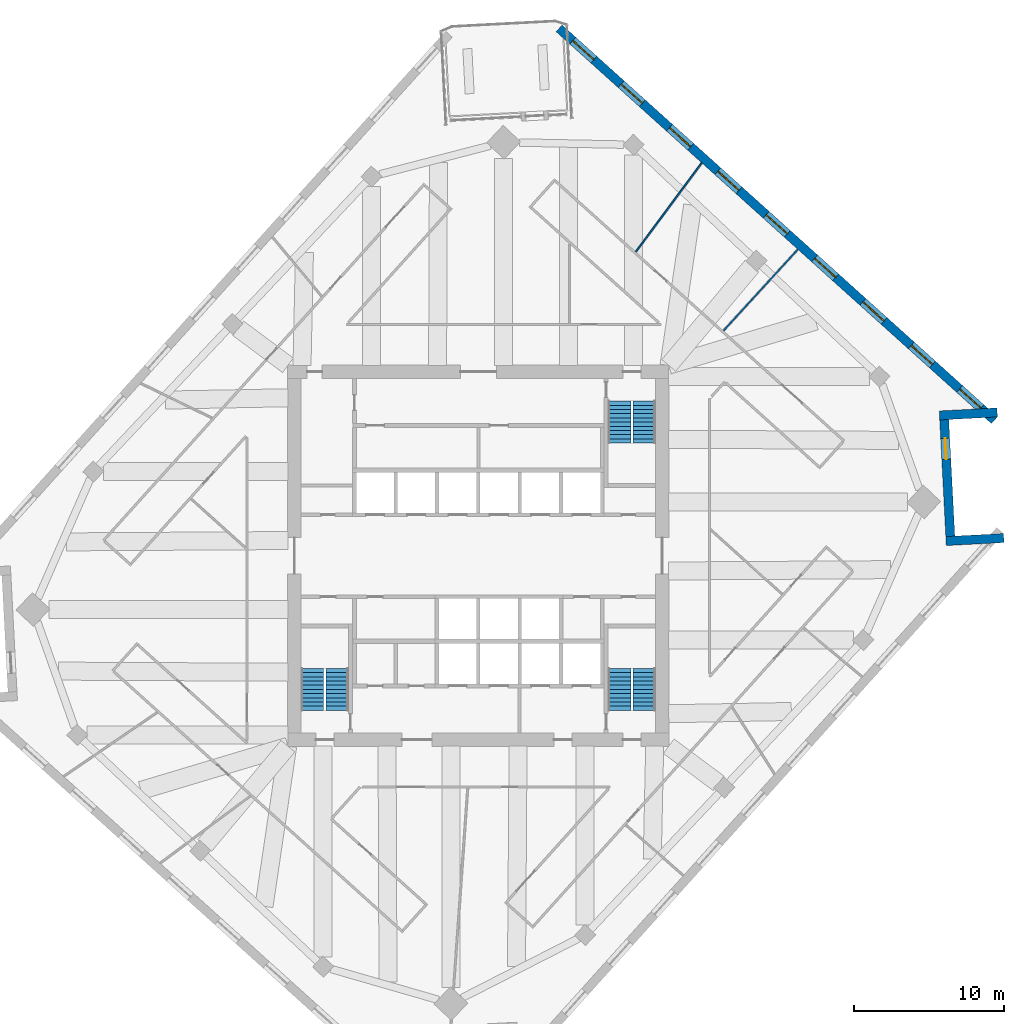
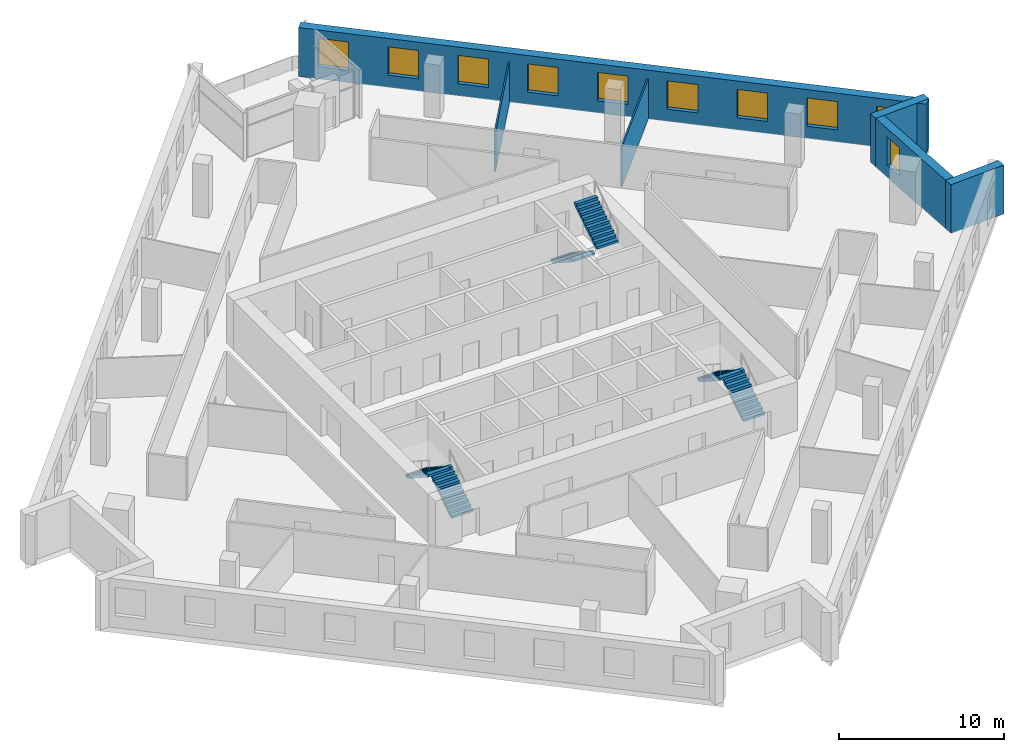
# One storey, part 10 of 12: 10 windows, 6 stair flights, 6 walls, 10 openings, 3 elements without a shape of their own.
"""IFC4 building model written with IfcOpenShell, lengths in metres."""

from ifc_helpers import new_model, si_unit, direction, frame, frame_2d, origin, place, context, subcontext, project, spatial, polyline, rectangle, outline, extrude, material, layer, layer_set, type_object, element, fill, aggregate, save


model = new_model("IFC4")

# Units and contexts
model_context = context("Model", 3, precision=1e-05, world=origin(), true_north=direction((0.0, 1.0)))
body_context = subcontext(model_context, "Body", "Model", "MODEL_VIEW")
ifc_project = project(units=[si_unit("LENGTHUNIT", "METRE"), si_unit("AREAUNIT", "SQUARE_METRE"), si_unit("VOLUMEUNIT", "CUBIC_METRE"), si_unit("PLANEANGLEUNIT", "RADIAN"), si_unit("MASSUNIT", "GRAM", prefix="KILO")], contexts=[model_context])

# Site, building, storey
site_placement = place(None, origin())
site = spatial("IfcSite", under=ifc_project, at=site_placement, CompositionType="ELEMENT")
building_placement = place(site_placement, origin())
building = spatial("IfcBuilding", under=site, at=building_placement, Name="Dilmun Exchange Tower", CompositionType="ELEMENT")
storey_placement = place(building_placement, frame((0.0, 0.0, 221.300048828125)))
storey = spatial("IfcBuildingStorey", under=building, at=storey_placement, Name="L52", CompositionType="ELEMENT", Elevation=221.300048828125)

# Walls
ifc_material_1 = material(Name="Partition 100")
ifc_layer_1 = layer(ifc_material_1, 0.10009765625)
ifc_layer_set_1 = layer_set([ifc_layer_1], Name="Partition 100")
wall_type_1 = type_object("IfcWallType", Name="Partition 100", PredefinedType="PARTITIONING", material=ifc_layer_set_1)
wall_1_placement = place(storey_placement, frame((10.48876953125, 20.23828125, 0.0), z_axis=(0.0, 0.0, 1.0), x_axis=(0.595992284238, 0.802990160045, 0.0)))
element("IfcWall", 1, at=wall_1_placement, inside=storey, type_object=wall_type_1, Name="Partition", PredefinedType="PARTITIONING", context=body_context, shape_type="SweptSolid", body=[
    extrude(rectangle(XDim=7.37255859375, YDim=0.10009765625, at=frame_2d((3.686279296875, 0.0))), origin(), (0.0, 0.0, 1.0), 2.969970703125),
])
wall_2_placement = place(storey_placement, frame((16.31884765625, 14.982666015625, 0.0), z_axis=(0.0, 0.0, 1.0), x_axis=(0.675134344503, 0.737694799272, 0.0)))
element("IfcWall", 2, at=wall_2_placement, inside=storey, type_object=wall_type_1, Name="Partition", PredefinedType="PARTITIONING", context=body_context, shape_type="SweptSolid", body=[
    extrude(rectangle(XDim=7.344482421875, YDim=0.10009765625, at=frame_2d((3.67236328125, 0.0))), origin(), (0.0, 0.0, 1.0), 2.969970703125),
])
ifc_material_2 = material(Name="Precast concrete C50/60", Category="concrete")
ifc_layer_2 = layer(ifc_material_2, 0.60009765625)
ifc_layer_set_2 = layer_set([ifc_layer_2], Name="Precast concrete C50/60")
wall_type_2 = type_object("IfcWallType", Name="Precast stone-clad wall 600", PredefinedType="STANDARD", material=ifc_layer_set_2)
wall_3_placement = place(storey_placement, frame((34.988037109375, 1.17919921875, 0.0), z_axis=(0.0, 0.0, 1.0), x_axis=(-0.998628154457, -0.05236228724, 0.0)))
element("IfcWall", 3, at=wall_3_placement, inside=storey, type_object=wall_type_2, Name="Facade wall L52-12", PredefinedType="STANDARD", context=body_context, shape_type="SweptSolid", body=[
    extrude(rectangle(XDim=3.8466796875, YDim=0.60009765625, at=frame_2d((1.92333984375, 0.0))), origin(), (0.0, 0.0, 1.0), 3.619873046875),
])

# Wall, opening, window
wall_4_placement = place(storey_placement, frame((31.4306640625, 1.293212890625, 0.0), z_axis=(0.0, 0.0, 1.0), x_axis=(-0.052323250701, 0.998630200543, 0.0)))
wall_4 = element("IfcWall", 4, at=wall_4_placement, inside=storey, type_object=wall_type_2, Name="Facade wall L52-13", PredefinedType="STANDARD", context=body_context, shape_type="SweptSolid", body=[
    extrude(rectangle(XDim=7.7783203125, YDim=0.60009765625, at=frame_2d((3.88916015625, 0.0))), origin(), (0.0, 0.0, 1.0), 3.619873046875),
])
opening_1_placement = place(wall_4_placement, frame((5.133544921875, 0.0, 0.89990234375)))
opening_1 = element("IfcOpeningElement", 5, at=opening_1_placement, cuts=wall_4, Name="Opening W140-210", PredefinedType="OPENING", context=body_context, shape_type="SweptSolid", body=[
    extrude(rectangle(XDim=1.39990234375, YDim=2.10009765625, at=frame_2d((0.699951171875, 1.050048828125))), frame((0.0, 0.31005859375, 0.0), z_axis=(0.0, -1.0, 0.0), x_axis=(1.0, 0.0, 0.0)), (0.0, 0.0, 1.0), 0.6201171875),
])
ifc_material_3 = material(Name="Clear low-emissivity glass in aluminium frame", Category="aluminium")
window_type_1 = type_object("IfcWindowType", Name="Punched window 1400 x 2100", PartitioningType="DOUBLE_PANEL_VERTICAL", PredefinedType="WINDOW", material=ifc_material_3)
window_1_placement = place(opening_1_placement, origin())
window_1 = element("IfcWindow", 6, at=window_1_placement, inside=storey, type_object=window_type_1, Name="Window 14.2", OverallHeight=2.10009765625, OverallWidth=1.39990234375, PartitioningType="SINGLE_PANEL", PredefinedType="WINDOW", context=body_context, shape_type="SweptSolid", body=[
    extrude(rectangle(XDim=1.39990234375, YDim=2.10009765625, at=frame_2d((0.699951171875, 1.050048828125))), frame((0.0, 0.030029296875, 0.0), z_axis=(0.0, -1.0, 0.0), x_axis=(1.0, 0.0, 0.0)), (0.0, 0.0, 1.0), 0.06005859375),
])
fill(opening_1, window_1)

# Wall
wall_5_placement = place(storey_placement, frame((30.70849609375, 9.344482421875, 0.0), z_axis=(0.0, 0.0, 1.0), x_axis=(0.99862798042, 0.052365606295, 0.0)))
element("IfcWall", 7, at=wall_5_placement, inside=storey, type_object=wall_type_2, Name="Facade wall L52-14", PredefinedType="STANDARD", context=body_context, shape_type="SweptSolid", body=[
    extrude(rectangle(XDim=3.846435546875, YDim=0.60009765625, at=frame_2d((1.92333984375, 0.0))), origin(), (0.0, 0.0, 1.0), 3.619873046875),
])

# Wall, openings, windows
wall_6_placement = place(storey_placement, frame((34.364501953125, 9.0234375, 0.0), z_axis=(0.0, 0.0, 1.0), x_axis=(-0.743146896498, 0.66912830625, 0.0)))
wall_6 = element("IfcWall", 8, at=wall_6_placement, inside=storey, type_object=wall_type_2, Name="Facade wall L52-15", PredefinedType="STANDARD", context=body_context, shape_type="SweptSolid", body=[
    extrude(rectangle(XDim=39.0, YDim=0.60009765625, at=frame_2d((19.5, 0.0))), origin(), (0.0, 0.0, 1.0), 3.619873046875),
])
opening_2_placement = place(wall_6_placement, frame((1.216796875, 0.0, 0.89990234375)))
opening_2 = element("IfcOpeningElement", 9, at=opening_2_placement, cuts=wall_6, Name="Opening W190-210", PredefinedType="OPENING", context=body_context, shape_type="SweptSolid", body=[
    extrude(rectangle(XDim=1.89990234375, YDim=2.10009765625, at=frame_2d((0.949951171875, 1.050048828125))), frame((0.0, 0.31005859375, 0.0), z_axis=(0.0, -1.0, 0.0), x_axis=(1.0, 0.0, 0.0)), (0.0, 0.0, 1.0), 0.6201171875),
])
opening_3_placement = place(wall_6_placement, frame((5.550048828125, 0.0, 0.89990234375)))
opening_3 = element("IfcOpeningElement", 10, at=opening_3_placement, cuts=wall_6, Name="Opening W190-210", PredefinedType="OPENING", context=body_context, shape_type="SweptSolid", body=[
    extrude(rectangle(XDim=1.89990234375, YDim=2.10009765625, at=frame_2d((0.949951171875, 1.050048828125))), frame((0.0, 0.31005859375, 0.0), z_axis=(0.0, -1.0, 0.0), x_axis=(1.0, 0.0, 0.0)), (0.0, 0.0, 1.0), 0.6201171875),
])
opening_4_placement = place(wall_6_placement, frame((9.88330078125, 0.0, 0.89990234375)))
opening_4 = element("IfcOpeningElement", 11, at=opening_4_placement, cuts=wall_6, Name="Opening W190-210", PredefinedType="OPENING", context=body_context, shape_type="SweptSolid", body=[
    extrude(rectangle(XDim=1.89990234375, YDim=2.10009765625, at=frame_2d((0.949951171875, 1.050048828125))), frame((0.0, 0.31005859375, 0.0), z_axis=(0.0, -1.0, 0.0), x_axis=(1.0, 0.0, 0.0)), (0.0, 0.0, 1.0), 0.6201171875),
])
opening_5_placement = place(wall_6_placement, frame((14.216796875, 0.0, 0.89990234375)))
opening_5 = element("IfcOpeningElement", 12, at=opening_5_placement, cuts=wall_6, Name="Opening W190-210", PredefinedType="OPENING", context=body_context, shape_type="SweptSolid", body=[
    extrude(rectangle(XDim=1.89990234375, YDim=2.10009765625, at=frame_2d((0.949951171875, 1.050048828125))), frame((0.0, 0.31005859375, 0.0), z_axis=(0.0, -1.0, 0.0), x_axis=(1.0, 0.0, 0.0)), (0.0, 0.0, 1.0), 0.6201171875),
])
opening_6_placement = place(wall_6_placement, frame((18.550048828125, 0.0, 0.89990234375)))
opening_6 = element("IfcOpeningElement", 13, at=opening_6_placement, cuts=wall_6, Name="Opening W190-210", PredefinedType="OPENING", context=body_context, shape_type="SweptSolid", body=[
    extrude(rectangle(XDim=1.89990234375, YDim=2.10009765625, at=frame_2d((0.949951171875, 1.050048828125))), frame((0.0, 0.31005859375, 0.0), z_axis=(0.0, -1.0, 0.0), x_axis=(1.0, 0.0, 0.0)), (0.0, 0.0, 1.0), 0.6201171875),
])
opening_7_placement = place(wall_6_placement, frame((22.88330078125, 0.0, 0.89990234375)))
opening_7 = element("IfcOpeningElement", 14, at=opening_7_placement, cuts=wall_6, Name="Opening W190-210", PredefinedType="OPENING", context=body_context, shape_type="SweptSolid", body=[
    extrude(rectangle(XDim=1.89990234375, YDim=2.10009765625, at=frame_2d((0.949951171875, 1.050048828125))), frame((0.0, 0.31005859375, 0.0), z_axis=(0.0, -1.0, 0.0), x_axis=(1.0, 0.0, 0.0)), (0.0, 0.0, 1.0), 0.6201171875),
])
opening_8_placement = place(wall_6_placement, frame((27.216796875, 0.0, 0.89990234375)))
opening_8 = element("IfcOpeningElement", 15, at=opening_8_placement, cuts=wall_6, Name="Opening W190-210", PredefinedType="OPENING", context=body_context, shape_type="SweptSolid", body=[
    extrude(rectangle(XDim=1.89990234375, YDim=2.10009765625, at=frame_2d((0.949951171875, 1.050048828125))), frame((0.0, 0.31005859375, 0.0), z_axis=(0.0, -1.0, 0.0), x_axis=(1.0, 0.0, 0.0)), (0.0, 0.0, 1.0), 0.6201171875),
])
opening_9_placement = place(wall_6_placement, frame((31.550048828125, 0.0, 0.89990234375)))
opening_9 = element("IfcOpeningElement", 16, at=opening_9_placement, cuts=wall_6, Name="Opening W190-210", PredefinedType="OPENING", context=body_context, shape_type="SweptSolid", body=[
    extrude(rectangle(XDim=1.89990234375, YDim=2.10009765625, at=frame_2d((0.949951171875, 1.050048828125))), frame((0.0, 0.31005859375, 0.0), z_axis=(0.0, -1.0, 0.0), x_axis=(1.0, 0.0, 0.0)), (0.0, 0.0, 1.0), 0.6201171875),
])
opening_10_placement = place(wall_6_placement, frame((35.88330078125, 0.0, 0.89990234375)))
opening_10 = element("IfcOpeningElement", 17, at=opening_10_placement, cuts=wall_6, Name="Opening W190-210", PredefinedType="OPENING", context=body_context, shape_type="SweptSolid", body=[
    extrude(rectangle(XDim=1.89990234375, YDim=2.10009765625, at=frame_2d((0.949951171875, 1.050048828125))), frame((0.0, 0.31005859375, 0.0), z_axis=(0.0, -1.0, 0.0), x_axis=(1.0, 0.0, 0.0)), (0.0, 0.0, 1.0), 0.6201171875),
])
window_type_2 = type_object("IfcWindowType", Name="Punched window 1900 x 2100", PartitioningType="DOUBLE_PANEL_VERTICAL", PredefinedType="WINDOW", material=ifc_material_3)
window_2_placement = place(opening_2_placement, origin())
window_2 = element("IfcWindow", 18, at=window_2_placement, inside=storey, type_object=window_type_2, Name="Window 16.1", OverallHeight=2.10009765625, OverallWidth=1.89990234375, PartitioningType="SINGLE_PANEL", PredefinedType="WINDOW", context=body_context, shape_type="SweptSolid", body=[
    extrude(rectangle(XDim=1.89990234375, YDim=2.10009765625, at=frame_2d((0.949951171875, 1.050048828125))), frame((0.0, 0.030029296875, 0.0), z_axis=(0.0, -1.0, 0.0), x_axis=(1.0, 0.0, 0.0)), (0.0, 0.0, 1.0), 0.06005859375),
])
fill(opening_2, window_2)
window_3_placement = place(opening_3_placement, origin())
window_3 = element("IfcWindow", 19, at=window_3_placement, inside=storey, type_object=window_type_2, Name="Window 16.2", OverallHeight=2.10009765625, OverallWidth=1.89990234375, PartitioningType="SINGLE_PANEL", PredefinedType="WINDOW", context=body_context, shape_type="SweptSolid", body=[
    extrude(rectangle(XDim=1.89990234375, YDim=2.10009765625, at=frame_2d((0.949951171875, 1.050048828125))), frame((0.0, 0.030029296875, 0.0), z_axis=(0.0, -1.0, 0.0), x_axis=(1.0, 0.0, 0.0)), (0.0, 0.0, 1.0), 0.06005859375),
])
fill(opening_3, window_3)
window_4_placement = place(opening_4_placement, origin())
window_4 = element("IfcWindow", 20, at=window_4_placement, inside=storey, type_object=window_type_2, Name="Window 16.3", OverallHeight=2.10009765625, OverallWidth=1.89990234375, PartitioningType="SINGLE_PANEL", PredefinedType="WINDOW", context=body_context, shape_type="SweptSolid", body=[
    extrude(rectangle(XDim=1.89990234375, YDim=2.10009765625, at=frame_2d((0.949951171875, 1.050048828125))), frame((0.0, 0.030029296875, 0.0), z_axis=(0.0, -1.0, 0.0), x_axis=(1.0, 0.0, 0.0)), (0.0, 0.0, 1.0), 0.06005859375),
])
fill(opening_4, window_4)
window_5_placement = place(opening_5_placement, origin())
window_5 = element("IfcWindow", 21, at=window_5_placement, inside=storey, type_object=window_type_2, Name="Window 16.4", OverallHeight=2.10009765625, OverallWidth=1.89990234375, PartitioningType="SINGLE_PANEL", PredefinedType="WINDOW", context=body_context, shape_type="SweptSolid", body=[
    extrude(rectangle(XDim=1.89990234375, YDim=2.10009765625, at=frame_2d((0.949951171875, 1.050048828125))), frame((0.0, 0.030029296875, 0.0), z_axis=(0.0, -1.0, 0.0), x_axis=(1.0, 0.0, 0.0)), (0.0, 0.0, 1.0), 0.06005859375),
])
fill(opening_5, window_5)
window_6_placement = place(opening_6_placement, origin())
window_6 = element("IfcWindow", 22, at=window_6_placement, inside=storey, type_object=window_type_2, Name="Window 16.5", OverallHeight=2.10009765625, OverallWidth=1.89990234375, PartitioningType="SINGLE_PANEL", PredefinedType="WINDOW", context=body_context, shape_type="SweptSolid", body=[
    extrude(rectangle(XDim=1.89990234375, YDim=2.10009765625, at=frame_2d((0.949951171875, 1.050048828125))), frame((0.0, 0.030029296875, 0.0), z_axis=(0.0, -1.0, 0.0), x_axis=(1.0, 0.0, 0.0)), (0.0, 0.0, 1.0), 0.06005859375),
])
fill(opening_6, window_6)
window_7_placement = place(opening_7_placement, origin())
window_7 = element("IfcWindow", 23, at=window_7_placement, inside=storey, type_object=window_type_2, Name="Window 16.6", OverallHeight=2.10009765625, OverallWidth=1.89990234375, PartitioningType="SINGLE_PANEL", PredefinedType="WINDOW", context=body_context, shape_type="SweptSolid", body=[
    extrude(rectangle(XDim=1.89990234375, YDim=2.10009765625, at=frame_2d((0.949951171875, 1.050048828125))), frame((0.0, 0.030029296875, 0.0), z_axis=(0.0, -1.0, 0.0), x_axis=(1.0, 0.0, 0.0)), (0.0, 0.0, 1.0), 0.06005859375),
])
fill(opening_7, window_7)
window_8_placement = place(opening_8_placement, origin())
window_8 = element("IfcWindow", 24, at=window_8_placement, inside=storey, type_object=window_type_2, Name="Window 16.7", OverallHeight=2.10009765625, OverallWidth=1.89990234375, PartitioningType="SINGLE_PANEL", PredefinedType="WINDOW", context=body_context, shape_type="SweptSolid", body=[
    extrude(rectangle(XDim=1.89990234375, YDim=2.10009765625, at=frame_2d((0.949951171875, 1.050048828125))), frame((0.0, 0.030029296875, 0.0), z_axis=(0.0, -1.0, 0.0), x_axis=(1.0, 0.0, 0.0)), (0.0, 0.0, 1.0), 0.06005859375),
])
fill(opening_8, window_8)
window_9_placement = place(opening_9_placement, origin())
window_9 = element("IfcWindow", 25, at=window_9_placement, inside=storey, type_object=window_type_2, Name="Window 16.8", OverallHeight=2.10009765625, OverallWidth=1.89990234375, PartitioningType="SINGLE_PANEL", PredefinedType="WINDOW", context=body_context, shape_type="SweptSolid", body=[
    extrude(rectangle(XDim=1.89990234375, YDim=2.10009765625, at=frame_2d((0.949951171875, 1.050048828125))), frame((0.0, 0.030029296875, 0.0), z_axis=(0.0, -1.0, 0.0), x_axis=(1.0, 0.0, 0.0)), (0.0, 0.0, 1.0), 0.06005859375),
])
fill(opening_9, window_9)
window_10_placement = place(opening_10_placement, origin())
window_10 = element("IfcWindow", 26, at=window_10_placement, inside=storey, type_object=window_type_2, Name="Window 16.9", OverallHeight=2.10009765625, OverallWidth=1.89990234375, PartitioningType="SINGLE_PANEL", PredefinedType="WINDOW", context=body_context, shape_type="SweptSolid", body=[
    extrude(rectangle(XDim=1.89990234375, YDim=2.10009765625, at=frame_2d((0.949951171875, 1.050048828125))), frame((0.0, 0.030029296875, 0.0), z_axis=(0.0, -1.0, 0.0), x_axis=(1.0, 0.0, 0.0)), (0.0, 0.0, 1.0), 0.06005859375),
])
fill(opening_10, window_10)

# Stair, stair flights
ifc_material_4 = material(Name="Concrete C40/50", Category="concrete")
stair_type = type_object("IfcStairType", Name="Exit stair 1500 half-turn", PredefinedType="HALF_TURN_STAIR", material=ifc_material_4)
stair_1_placement = place(storey_placement, origin())
stair_1 = element("IfcStair", 27, at=stair_1_placement, inside=storey, type_object=stair_type, Name="L52 Protected exit stair ST1", PredefinedType="HALF_TURN_STAIR")
stair_flight_type = type_object("IfcStairFlightType", Name="Exit stair flight 1500", PredefinedType="STRAIGHT", material=ifc_material_4)
stair_flight_1_placement = place(storey_placement, frame((9.39990234375, 10.300048828125, 0.0), z_axis=(0.0, 0.0, 1.0), x_axis=(0.0, -1.0, 0.0)))
stair_flight_1 = element("IfcStairFlight", 28, at=stair_flight_1_placement, type_object=stair_flight_type, Name="ST1 flight 1", NumberOfRisers=11, NumberOfTreads=10, PredefinedType="STRAIGHT", RiserHeight=0.181818182, TreadLength=0.28, context=body_context, shape_type="SweptSolid", body=[
    extrude(outline(polyline([(0.0, 0.0), (0.0, 0.181884765625), (0.280029296875, 0.181884765625), (0.280029296875, 0.363525390625), (0.56005859375, 0.363525390625), (0.56005859375, 0.54541015625), (0.840087890625, 0.54541015625), (0.840087890625, 0.727294921875), (1.1201171875, 0.727294921875), (1.1201171875, 0.9091796875), (1.39990234375, 0.9091796875), (1.39990234375, 1.0908203125), (1.679931640625, 1.0908203125), (1.679931640625, 1.272705078125), (1.9599609375, 1.272705078125), (1.9599609375, 1.45458984375), (2.239990234375, 1.45458984375), (2.239990234375, 1.636474609375), (2.52001953125, 1.636474609375), (2.52001953125, 1.818115234375), (2.800048828125, 1.818115234375), (2.800048828125, 2.0), (2.800048828125, 1.639404296875), (0.275146484375, 0.0), (0.0, 0.0)])), frame((0.0, 0.75, 0.0), z_axis=(0.0, -1.0, 0.0), x_axis=(1.0, 0.0, 0.0)), (0.0, 0.0, 1.0), 1.5),
])
stair_flight_2_placement = place(storey_placement, frame((11.050048828125, 7.5, 2.0), z_axis=(0.0, 0.0, 1.0), x_axis=(0.0, 1.0, 0.0)))
stair_flight_2 = element("IfcStairFlight", 29, at=stair_flight_2_placement, type_object=stair_flight_type, Name="ST1 flight 2", NumberOfRisers=11, NumberOfTreads=10, PredefinedType="STRAIGHT", RiserHeight=0.181818182, TreadLength=0.28, context=body_context, shape_type="SweptSolid", body=[
    extrude(outline(polyline([(0.0, 0.0), (0.0, 0.181884765625), (0.280029296875, 0.181884765625), (0.280029296875, 0.363525390625), (0.56005859375, 0.363525390625), (0.56005859375, 0.54541015625), (0.840087890625, 0.54541015625), (0.840087890625, 0.727294921875), (1.1201171875, 0.727294921875), (1.1201171875, 0.9091796875), (1.39990234375, 0.9091796875), (1.39990234375, 1.0908203125), (1.679931640625, 1.0908203125), (1.679931640625, 1.272705078125), (1.9599609375, 1.272705078125), (1.9599609375, 1.45458984375), (2.239990234375, 1.45458984375), (2.239990234375, 1.636474609375), (2.52001953125, 1.636474609375), (2.52001953125, 1.818115234375), (2.800048828125, 1.818115234375), (2.800048828125, 2.0), (2.800048828125, 1.639404296875), (0.275146484375, 0.0), (0.0, 0.0)])), frame((0.0, 0.75, 0.0), z_axis=(0.0, -1.0, 0.0), x_axis=(1.0, 0.0, 0.0)), (0.0, 0.0, 1.0), 1.5),
])
aggregate(stair_1, [stair_flight_1, stair_flight_2])

stair_2_placement = place(storey_placement, origin())
stair_2 = element("IfcStair", 30, at=stair_2_placement, inside=storey, type_object=stair_type, Name="L52 Protected exit stair ST2", PredefinedType="HALF_TURN_STAIR")
stair_flight_3_placement = place(storey_placement, frame((-9.39990234375, -10.300048828125, 0.0), z_axis=(0.0, 0.0, 1.0), x_axis=(0.0, 1.0, 0.0)))
stair_flight_3 = element("IfcStairFlight", 31, at=stair_flight_3_placement, type_object=stair_flight_type, Name="ST2 flight 1", NumberOfRisers=11, NumberOfTreads=10, PredefinedType="STRAIGHT", RiserHeight=0.181818182, TreadLength=0.28, context=body_context, shape_type="SweptSolid", body=[
    extrude(outline(polyline([(0.0, 0.0), (0.0, 0.181884765625), (0.280029296875, 0.181884765625), (0.280029296875, 0.363525390625), (0.56005859375, 0.363525390625), (0.56005859375, 0.54541015625), (0.840087890625, 0.54541015625), (0.840087890625, 0.727294921875), (1.1201171875, 0.727294921875), (1.1201171875, 0.9091796875), (1.39990234375, 0.9091796875), (1.39990234375, 1.0908203125), (1.679931640625, 1.0908203125), (1.679931640625, 1.272705078125), (1.9599609375, 1.272705078125), (1.9599609375, 1.45458984375), (2.239990234375, 1.45458984375), (2.239990234375, 1.636474609375), (2.52001953125, 1.636474609375), (2.52001953125, 1.818115234375), (2.800048828125, 1.818115234375), (2.800048828125, 2.0), (2.800048828125, 1.639404296875), (0.275146484375, 0.0), (0.0, 0.0)])), frame((0.0, 0.75, 0.0), z_axis=(0.0, -1.0, 0.0), x_axis=(1.0, 0.0, 0.0)), (0.0, 0.0, 1.0), 1.5),
])
stair_flight_4_placement = place(storey_placement, frame((-11.050048828125, -7.5, 2.0), z_axis=(0.0, 0.0, 1.0), x_axis=(0.0, -1.0, 0.0)))
stair_flight_4 = element("IfcStairFlight", 32, at=stair_flight_4_placement, type_object=stair_flight_type, Name="ST2 flight 2", NumberOfRisers=11, NumberOfTreads=10, PredefinedType="STRAIGHT", RiserHeight=0.181818182, TreadLength=0.28, context=body_context, shape_type="SweptSolid", body=[
    extrude(outline(polyline([(0.0, 0.0), (0.0, 0.181884765625), (0.280029296875, 0.181884765625), (0.280029296875, 0.363525390625), (0.56005859375, 0.363525390625), (0.56005859375, 0.54541015625), (0.840087890625, 0.54541015625), (0.840087890625, 0.727294921875), (1.1201171875, 0.727294921875), (1.1201171875, 0.9091796875), (1.39990234375, 0.9091796875), (1.39990234375, 1.0908203125), (1.679931640625, 1.0908203125), (1.679931640625, 1.272705078125), (1.9599609375, 1.272705078125), (1.9599609375, 1.45458984375), (2.239990234375, 1.45458984375), (2.239990234375, 1.636474609375), (2.52001953125, 1.636474609375), (2.52001953125, 1.818115234375), (2.800048828125, 1.818115234375), (2.800048828125, 2.0), (2.800048828125, 1.639404296875), (0.275146484375, 0.0), (0.0, 0.0)])), frame((0.0, 0.75, 0.0), z_axis=(0.0, -1.0, 0.0), x_axis=(1.0, 0.0, 0.0)), (0.0, 0.0, 1.0), 1.5),
])
aggregate(stair_2, [stair_flight_3, stair_flight_4])

stair_3_placement = place(storey_placement, origin())
stair_3 = element("IfcStair", 33, at=stair_3_placement, inside=storey, type_object=stair_type, Name="L52 Protected exit stair ST3", PredefinedType="HALF_TURN_STAIR")
stair_flight_5_placement = place(storey_placement, frame((11.050048828125, -10.300048828125, 0.0), z_axis=(0.0, 0.0, 1.0), x_axis=(0.0, 1.0, 0.0)))
stair_flight_5 = element("IfcStairFlight", 34, at=stair_flight_5_placement, type_object=stair_flight_type, Name="ST3 flight 1", NumberOfRisers=11, NumberOfTreads=10, PredefinedType="STRAIGHT", RiserHeight=0.181818182, TreadLength=0.28, context=body_context, shape_type="SweptSolid", body=[
    extrude(outline(polyline([(0.0, 0.0), (0.0, 0.181884765625), (0.280029296875, 0.181884765625), (0.280029296875, 0.363525390625), (0.56005859375, 0.363525390625), (0.56005859375, 0.54541015625), (0.840087890625, 0.54541015625), (0.840087890625, 0.727294921875), (1.1201171875, 0.727294921875), (1.1201171875, 0.9091796875), (1.39990234375, 0.9091796875), (1.39990234375, 1.0908203125), (1.679931640625, 1.0908203125), (1.679931640625, 1.272705078125), (1.9599609375, 1.272705078125), (1.9599609375, 1.45458984375), (2.239990234375, 1.45458984375), (2.239990234375, 1.636474609375), (2.52001953125, 1.636474609375), (2.52001953125, 1.818115234375), (2.800048828125, 1.818115234375), (2.800048828125, 2.0), (2.800048828125, 1.639404296875), (0.275146484375, 0.0), (0.0, 0.0)])), frame((0.0, 0.75, 0.0), z_axis=(0.0, -1.0, 0.0), x_axis=(1.0, 0.0, 0.0)), (0.0, 0.0, 1.0), 1.5),
])
stair_flight_6_placement = place(storey_placement, frame((9.39990234375, -7.5, 2.0), z_axis=(0.0, 0.0, 1.0), x_axis=(0.0, -1.0, 0.0)))
stair_flight_6 = element("IfcStairFlight", 35, at=stair_flight_6_placement, type_object=stair_flight_type, Name="ST3 flight 2", NumberOfRisers=11, NumberOfTreads=10, PredefinedType="STRAIGHT", RiserHeight=0.181818182, TreadLength=0.28, context=body_context, shape_type="SweptSolid", body=[
    extrude(outline(polyline([(0.0, 0.0), (0.0, 0.181884765625), (0.280029296875, 0.181884765625), (0.280029296875, 0.363525390625), (0.56005859375, 0.363525390625), (0.56005859375, 0.54541015625), (0.840087890625, 0.54541015625), (0.840087890625, 0.727294921875), (1.1201171875, 0.727294921875), (1.1201171875, 0.9091796875), (1.39990234375, 0.9091796875), (1.39990234375, 1.0908203125), (1.679931640625, 1.0908203125), (1.679931640625, 1.272705078125), (1.9599609375, 1.272705078125), (1.9599609375, 1.45458984375), (2.239990234375, 1.45458984375), (2.239990234375, 1.636474609375), (2.52001953125, 1.636474609375), (2.52001953125, 1.818115234375), (2.800048828125, 1.818115234375), (2.800048828125, 2.0), (2.800048828125, 1.639404296875), (0.275146484375, 0.0), (0.0, 0.0)])), frame((0.0, 0.75, 0.0), z_axis=(0.0, -1.0, 0.0), x_axis=(1.0, 0.0, 0.0)), (0.0, 0.0, 1.0), 1.5),
])
aggregate(stair_3, [stair_flight_5, stair_flight_6])

save(model, "model.ifc")
